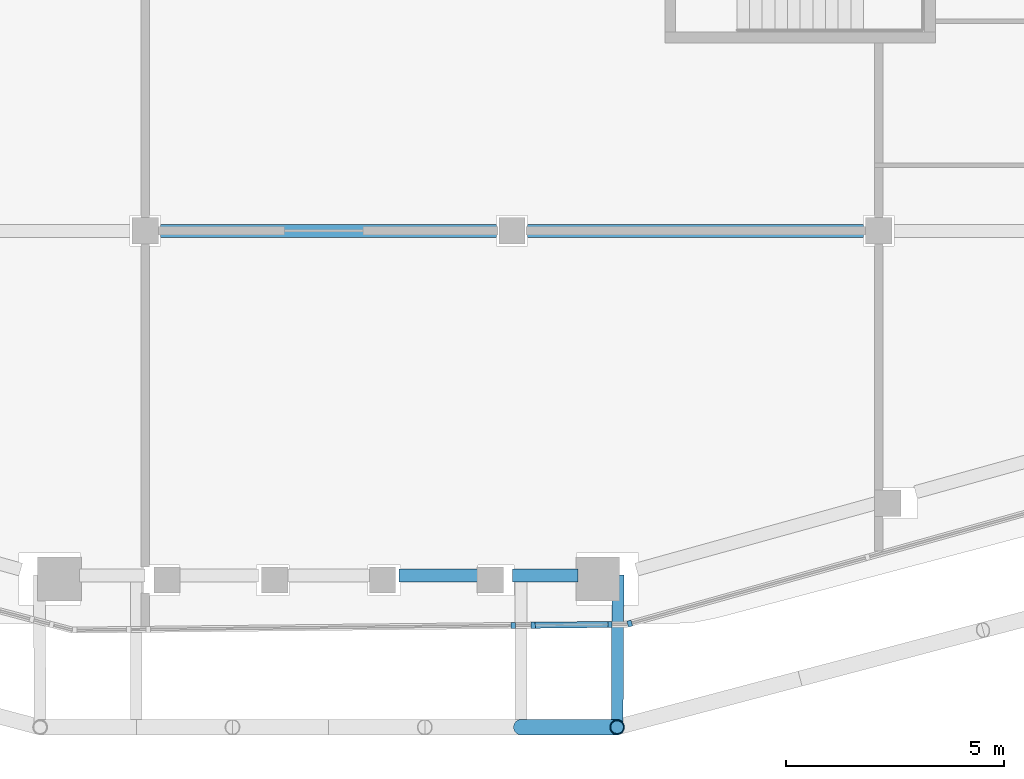
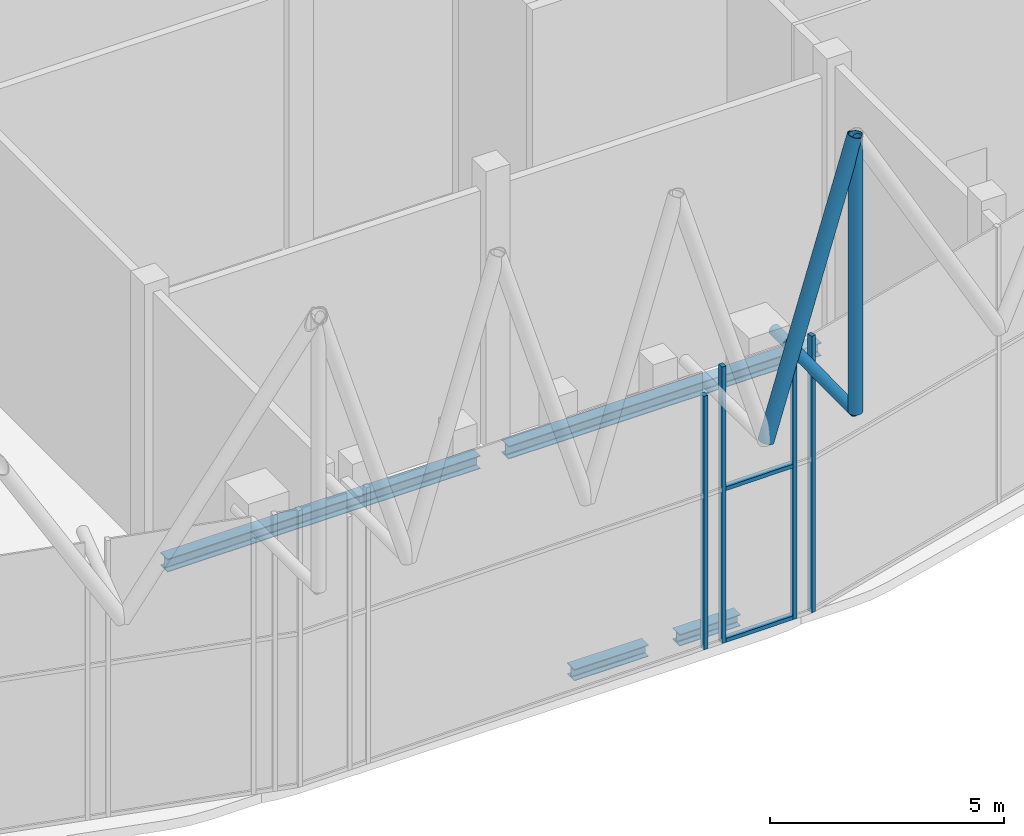
# One storey, part 3 of 25: 9 members, 4 beams, 4 elements without a shape of their own.
"""IFC4 building model written with IfcOpenShell, lengths in metres."""

from ifc_helpers import new_model, si_unit, direction, frame, origin, origin_2d, place, context, subcontext, project, spatial, rectangle, hollow_circle, i_section, extrude, material, layer, layer_set, material_profile, profile_set, type_object, element, aggregate, save


model = new_model("IFC4")

# Units and contexts
model_context = context("Model", 3, precision=1e-05, world=origin(), true_north=direction((0.0, 1.0)))
body_context = subcontext(model_context, "Body", "Model", "MODEL_VIEW")
ifc_project = project(units=[si_unit("LENGTHUNIT", "METRE"), si_unit("AREAUNIT", "SQUARE_METRE"), si_unit("VOLUMEUNIT", "CUBIC_METRE"), si_unit("PLANEANGLEUNIT", "RADIAN"), si_unit("MASSUNIT", "GRAM", prefix="KILO")], contexts=[model_context])

# Site, building, storey
site_placement = place(None, origin())
site = spatial("IfcSite", under=ifc_project, at=site_placement, CompositionType="ELEMENT")
building_placement = place(site_placement, origin())
building = spatial("IfcBuilding", under=site, at=building_placement, Name="Marenta Gate Hotel Tower", CompositionType="ELEMENT")
storey_placement = place(building_placement, frame((0.0, 0.0, 281.300048828125)))
storey = spatial("IfcBuildingStorey", under=building, at=storey_placement, Name="L65", CompositionType="ELEMENT", Elevation=281.300048828125)

# Members
ifc_material_1 = material(Name="Steel S355J2W", Category="steel")
ifc_material_profile_1 = material_profile(ifc_material_1, hollow_circle(Radius=0.161865234375, WallThickness=0.012451171875, at=origin_2d()), Name="CHS 323.9x12.5")
ifc_profile_set_1 = profile_set([ifc_material_profile_1], Name="Steel S355J2W")
member_type_1 = type_object("IfcMemberType", Name="Diagrid corner post C CHS 323.9x12.5", PredefinedType="POST", material=ifc_profile_set_1)
member_1_placement = place(storey_placement, frame((6.60888671875, -36.570068359375, 6.739990234375), z_axis=(0.0, 0.0, 1.0), x_axis=(1.0, 0.0, 0.0)))
element("IfcMember", 1, at=member_1_placement, inside=storey, type_object=member_type_1, Name="L65-DR-3", PredefinedType="POST", context=body_context, shape_type="SweptSolid", body=[
    extrude(hollow_circle(Radius=0.161865234375, WallThickness=0.012451171875, at=origin_2d()), origin(), (0.0, 0.0, 1.0), 7.199951171875),
])
ifc_material_2 = material(Name="Steel S355J2W", Category="steel")
ifc_material_profile_2 = material_profile(ifc_material_2, hollow_circle(Radius=0.177734375, WallThickness=0.01611328125, at=origin_2d()), Name="CHS 355.6x16")
ifc_profile_set_2 = profile_set([ifc_material_profile_2], Name="Steel S355J2W")
member_type_2 = type_object("IfcMemberType", Name="Diagrid diagonal C CHS 355.6x16", PredefinedType="BRACE", material=ifc_profile_set_2)
member_2_placement = place(storey_placement, frame((4.406005859375, -36.570068359375, 6.739990234375), z_axis=(0.292570270413, 0.0, 0.956244025796), x_axis=(0.0, 1.0, 0.0)))
element("IfcMember", 2, at=member_2_placement, inside=storey, type_object=member_type_2, Name="L65-DG-15", PredefinedType="BRACE", context=body_context, shape_type="SweptSolid", body=[
    extrude(hollow_circle(Radius=0.177734375, WallThickness=0.01611328125, at=origin_2d()), origin(), (0.0, 0.0, 1.0), 7.529296875),
])

# Beams
ifc_material_3 = material(Name="Steel S355", Category="steel")
ifc_material_profile_3 = material_profile(ifc_material_3, i_section(OverallWidth=0.300048828125, OverallDepth=0.300048828125, WebThickness=0.010986328125, FlangeThickness=0.01904296875, FilletRadius=0.027099609375, at=origin_2d()), Name="HEB 300")
ifc_profile_set_3 = profile_set([ifc_material_profile_3], Name="Steel S355")
beam_type_1 = type_object("IfcBeamType", Name="Edge beam HEB 300", PredefinedType="SPANDREL", material=ifc_profile_set_3)
beam_1_placement = place(storey_placement, frame((5.706298828125, -33.09130859375, -0.41015625), z_axis=(-1.0, 0.0, 0.0), x_axis=(0.0, -1.0, 0.0)))
element("IfcBeam", 3, at=beam_1_placement, inside=storey, type_object=beam_type_1, Name="L65-EB-28", PredefinedType="SPANDREL", context=body_context, shape_type="SweptSolid", body=[
    extrude(i_section(OverallWidth=0.300048828125, OverallDepth=0.300048828125, WebThickness=0.010986328125, FlangeThickness=0.01904296875, FilletRadius=0.027099609375, at=origin_2d()), origin(), (0.0, 0.0, 1.0), 1.500244140625),
])
beam_2_placement = place(storey_placement, frame((3.440185546875, -33.09130859375, -0.41015625), z_axis=(-1.0, 0.0, 0.0), x_axis=(0.0, -1.0, 0.0)))
element("IfcBeam", 4, at=beam_2_placement, inside=storey, type_object=beam_type_1, Name="L65-EB-29", PredefinedType="SPANDREL", context=body_context, shape_type="SweptSolid", body=[
    extrude(i_section(OverallWidth=0.300048828125, OverallDepth=0.300048828125, WebThickness=0.010986328125, FlangeThickness=0.01904296875, FilletRadius=0.027099609375, at=origin_2d()), origin(), (0.0, 0.0, 1.0), 1.83154296875),
])

# Member
ifc_material_4 = material(Name="Steel S355J2W", Category="steel")
ifc_material_profile_4 = material_profile(ifc_material_4, hollow_circle(Radius=0.136474609375, WallThickness=0.012451171875, at=origin_2d()), Name="CHS 273x12.5")
ifc_profile_set_4 = profile_set([ifc_material_profile_4], Name="Steel S355J2W")
member_type_3 = type_object("IfcMemberType", Name="Floor tie CHS 273x12.5", PredefinedType="STRUT", material=ifc_profile_set_4)
member_3_placement = place(storey_placement, frame((6.60888671875, -36.570068359375, 6.739990234375), z_axis=(0.005391700916, 0.999985464675, 0.0), x_axis=(-0.999985464675, 0.005391700916, 0.0)))
element("IfcMember", 5, at=member_3_placement, inside=storey, type_object=member_type_3, Name="L65-DR-13", PredefinedType="STRUT", context=body_context, shape_type="SweptSolid", body=[
    extrude(hollow_circle(Radius=0.136474609375, WallThickness=0.012451171875, at=origin_2d()), origin(), (0.0, 0.0, 1.0), 3.486572265625),
])

# Beams
ifc_material_5 = material(Name="Steel S355", Category="steel")
ifc_material_profile_5 = material_profile(ifc_material_5, i_section(OverallWidth=0.300048828125, OverallDepth=0.340087890625, WebThickness=0.011962890625, FlangeThickness=0.021484375, FilletRadius=0.027099609375, at=origin_2d()), Name="HEB 340")
ifc_profile_set_5 = profile_set([ifc_material_profile_5], Name="Steel S355")
beam_type_2 = type_object("IfcBeamType", Name="Girder HEB 340", PredefinedType="BEAM", material=ifc_profile_set_5)
beam_3_placement = place(storey_placement, frame((-3.85009765625, -25.199951171875, -0.429931640625), z_axis=(1.0, 0.0, 0.0), x_axis=(0.0, 1.0, 0.0)))
element("IfcBeam", 6, at=beam_3_placement, inside=storey, type_object=beam_type_2, Name="L65-GD-3", PredefinedType="BEAM", context=body_context, shape_type="SweptSolid", body=[
    extrude(i_section(OverallWidth=0.300048828125, OverallDepth=0.340087890625, WebThickness=0.011962890625, FlangeThickness=0.021484375, FilletRadius=0.027099609375, at=origin_2d()), origin(), (0.0, 0.0, 1.0), 7.7001953125),
])
beam_4_placement = place(storey_placement, frame((4.550048828125, -25.199951171875, -0.429931640625), z_axis=(1.0, 0.0, 0.0), x_axis=(0.0, 1.0, 0.0)))
element("IfcBeam", 7, at=beam_4_placement, inside=storey, type_object=beam_type_2, Name="L65-GD-4", PredefinedType="BEAM", context=body_context, shape_type="SweptSolid", body=[
    extrude(i_section(OverallWidth=0.300048828125, OverallDepth=0.340087890625, WebThickness=0.011962890625, FlangeThickness=0.021484375, FilletRadius=0.027099609375, at=origin_2d()), origin(), (0.0, 0.0, 1.0), 7.699951171875),
])

# Curtain wall, member
ifc_material_6 = material(Name="Tinted insulated glass in bronze anodised frame", Category="glass")
ifc_layer = layer(ifc_material_6, 0.139892578125)
ifc_layer_set = layer_set([ifc_layer], Name="Tinted insulated glass in bronze anodised frame")
curtain_wall_type = type_object("IfcCurtainWallType", Name="Observation deck structural glazing CW3", PredefinedType="NOTDEFINED", material=ifc_layer_set)
curtain_wall_1_placement = place(storey_placement, origin())
curtain_wall_1 = element("IfcCurtainWall", 8, at=curtain_wall_1_placement, inside=storey, type_object=curtain_wall_type, Name="CW3 run G22", PredefinedType="NOTDEFINED")
ifc_material_7 = material(Name="Bronze anodised aluminium", Category="aluminium")
ifc_material_profile_6 = material_profile(ifc_material_7, rectangle(XDim=0.139892578125, YDim=0.10009765625, at=origin_2d()), Name="Mullion CW3 100x140 bronze anodised aluminium")
ifc_profile_set_6 = profile_set([ifc_material_profile_6], Name="Bronze anodised aluminium")
member_type_4 = type_object("IfcMemberType", Name="Mullion CW3 100x140 bronze anodised aluminium", PredefinedType="MULLION", material=ifc_profile_set_6)
member_4_placement = place(storey_placement, frame((4.2294921875, -34.240478515625, 0.0), z_axis=(0.0, 0.0, 1.0), x_axis=(-0.010595431704, 0.999943866838, 0.0)))
member_4 = element("IfcMember", 9, at=member_4_placement, type_object=member_type_4, Name="CW3 mullion 1", PredefinedType="MULLION", context=body_context, shape_type="SweptSolid", body=[
    extrude(rectangle(XDim=0.139892578125, YDim=0.10009765625, at=origin_2d()), origin(), (0.0, 0.0, 1.0), 6.600341796875),
])
aggregate(curtain_wall_1, [member_4])

curtain_wall_2_placement = place(storey_placement, origin())
curtain_wall_2 = element("IfcCurtainWall", 10, at=curtain_wall_2_placement, inside=storey, type_object=curtain_wall_type, Name="CW3 run G23", PredefinedType="NOTDEFINED")
member_5_placement = place(storey_placement, frame((4.6826171875, -34.235595703125, 0.0), z_axis=(0.0, 0.0, 1.0), x_axis=(-0.010665454842, 0.999943122419, 0.0)))
member_5 = element("IfcMember", 11, at=member_5_placement, type_object=member_type_4, Name="CW3 mullion 1", PredefinedType="MULLION", context=body_context, shape_type="SweptSolid", body=[
    extrude(rectangle(XDim=0.139892578125, YDim=0.10009765625, at=origin_2d()), origin(), (0.0, 0.0, 1.0), 7.199951171875),
])

curtain_wall_3_placement = place(storey_placement, origin())
curtain_wall_3 = element("IfcCurtainWall", 12, at=curtain_wall_3_placement, inside=storey, type_object=curtain_wall_type, Name="CW3 run G24", PredefinedType="NOTDEFINED")
member_6_placement = place(storey_placement, frame((6.445068359375, -34.216796875, 0.0), z_axis=(0.0, 0.0, 1.0), x_axis=(-0.010596924697, 0.999943851017, 0.0)))
member_6 = element("IfcMember", 13, at=member_6_placement, type_object=member_type_4, Name="CW3 mullion 1", PredefinedType="MULLION", context=body_context, shape_type="SweptSolid", body=[
    extrude(rectangle(XDim=0.139892578125, YDim=0.10009765625, at=origin_2d()), origin(), (0.0, 0.0, 1.0), 6.600341796875),
])
aggregate(curtain_wall_3, [member_6])

curtain_wall_4_placement = place(storey_placement, origin())
curtain_wall_4 = element("IfcCurtainWall", 14, at=curtain_wall_4_placement, inside=storey, type_object=curtain_wall_type, Name="CW3 run G25", PredefinedType="NOTDEFINED")
member_7_placement = place(storey_placement, frame((6.896484375, -34.19677734375, 0.0), z_axis=(0.0, 0.0, 1.0), x_axis=(-0.268552612196, 0.963265017782, 0.0)))
member_7 = element("IfcMember", 15, at=member_7_placement, type_object=member_type_4, Name="CW3 mullion 1", PredefinedType="MULLION", context=body_context, shape_type="SweptSolid", body=[
    extrude(rectangle(XDim=0.139892578125, YDim=0.10009765625, at=origin_2d()), origin(), (0.0, 0.0, 1.0), 7.199951171875),
])
aggregate(curtain_wall_4, [member_7])

# Member
ifc_material_8 = material(Name="Bronze anodised aluminium", Category="aluminium")
ifc_material_profile_7 = material_profile(ifc_material_8, rectangle(XDim=0.139892578125, YDim=0.10009765625, at=origin_2d()), Name="Transom CW3 100x140 bronze anodised aluminium")
ifc_profile_set_7 = profile_set([ifc_material_profile_7], Name="Bronze anodised aluminium")
member_type_5 = type_object("IfcMemberType", Name="Transom CW3 100x140 bronze anodised aluminium", PredefinedType="USERDEFINED", material=ifc_profile_set_7)
member_8_placement = place(storey_placement, frame((4.732421875, -34.235107421875, 0.050048828125), z_axis=(0.999942550788, 0.010718914274, 0.0), x_axis=(-0.010718914274, 0.999942550788, 0.0)))
member_8 = element("IfcMember", 16, at=member_8_placement, type_object=member_type_5, Name="CW3 transom 1.1", ObjectType="TRANSOM", PredefinedType="USERDEFINED", context=body_context, shape_type="SweptSolid", body=[
    extrude(rectangle(XDim=0.139892578125, YDim=0.10009765625, at=origin_2d()), origin(), (0.0, 0.0, 1.0), 1.66259765625),
])

member_9_placement = place(storey_placement, frame((4.732421875, -34.235107421875, 4.0), z_axis=(0.999942550788, 0.010718914274, 0.0), x_axis=(-0.010718914274, 0.999942550788, 0.0)))
member_9 = element("IfcMember", 17, at=member_9_placement, type_object=member_type_5, Name="CW3 transom 1.2", ObjectType="TRANSOM", PredefinedType="USERDEFINED", context=body_context, shape_type="SweptSolid", body=[
    extrude(rectangle(XDim=0.139892578125, YDim=0.10009765625, at=origin_2d()), origin(), (0.0, 0.0, 1.0), 1.66259765625),
])

aggregate(curtain_wall_2, [member_5, member_8, member_9])

save(model, "model.ifc")
